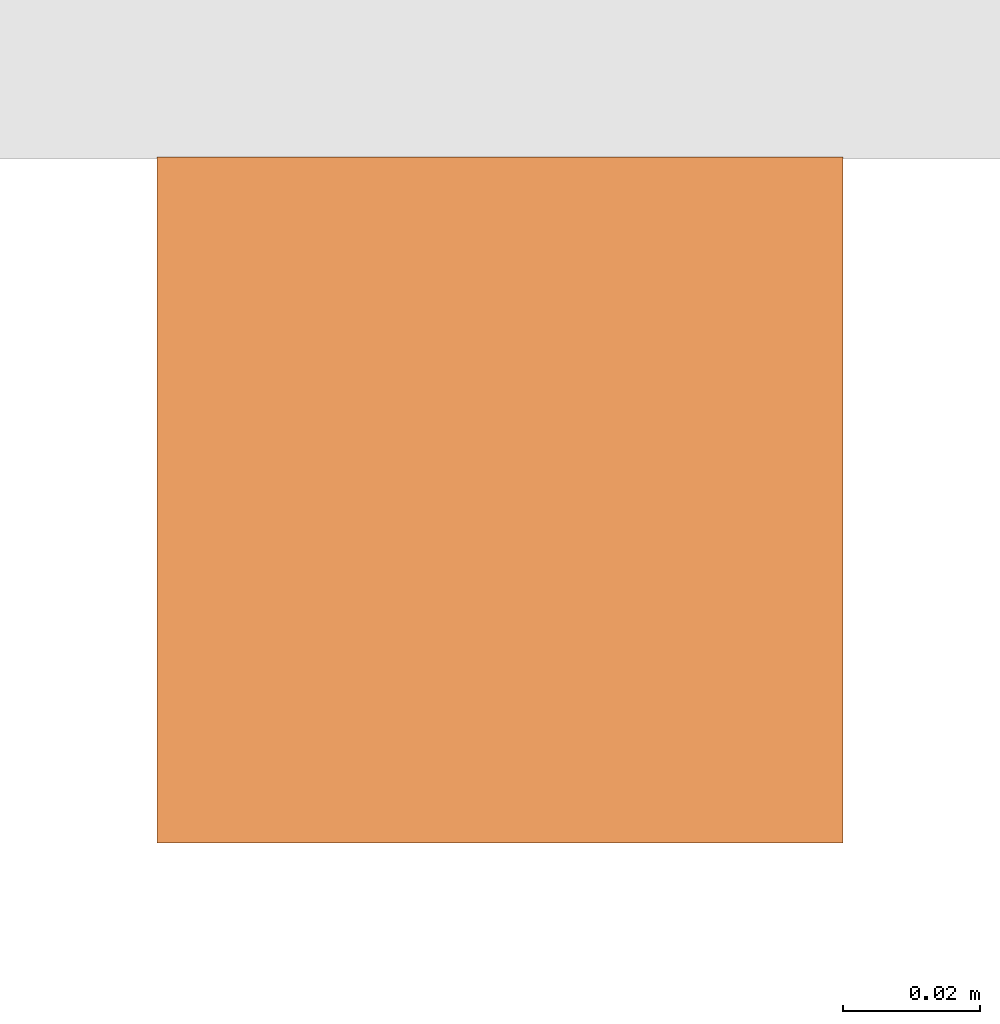
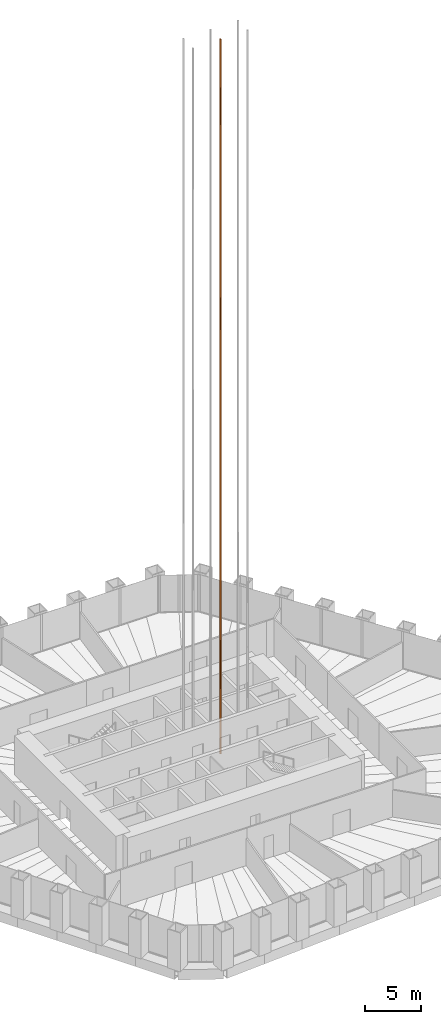
# One storey, part 16 of 20: 1 proxy.
"""IFC4 building model written with IfcOpenShell, lengths in metres."""

from ifc_helpers import new_model, si_unit, direction, frame, origin, origin_2d, place, context, subcontext, project, spatial, rectangle, extrude, material, type_object, element, save


model = new_model("IFC4")

# Units and contexts
model_context = context("Model", 3, precision=1e-05, world=origin(), true_north=direction((0.0, 1.0)))
body_context = subcontext(model_context, "Body", "Model", "MODEL_VIEW")
ifc_project = project(units=[si_unit("LENGTHUNIT", "METRE"), si_unit("AREAUNIT", "SQUARE_METRE"), si_unit("VOLUMEUNIT", "CUBIC_METRE"), si_unit("PLANEANGLEUNIT", "RADIAN"), si_unit("MASSUNIT", "GRAM", prefix="KILO")], contexts=[model_context])

# Site, building, storey
site_placement = place(None, origin())
site = spatial("IfcSite", under=ifc_project, at=site_placement, CompositionType="ELEMENT")
building_placement = place(site_placement, origin())
building = spatial("IfcBuilding", under=site, at=building_placement, Name="Qingtian Harvest Tower", CompositionType="ELEMENT")
storey_placement = place(building_placement, frame((0.0, 0.0, 103.0)))
storey = spatial("IfcBuildingStorey", under=building, at=storey_placement, Name="L20", CompositionType="ELEMENT", Elevation=103.0)

# Proxy
ifc_material = material(Name="Steel SN490B", Category="steel")
building_element_proxy_type = type_object("IfcBuildingElementProxyType", Name="Lift guide rail LR1", PredefinedType="NOTDEFINED", material=ifc_material)
proxy_placement = place(storey_placement, frame((4.699951171875, 2.675048828125, 0.0), z_axis=(0.0, 0.0, 1.0), x_axis=(1.0, 0.0, 0.0)))
element("IfcBuildingElementProxy", 1, at=proxy_placement, inside=storey, type_object=building_element_proxy_type, Name="Lift PLB2 guide rail 1", PredefinedType="NOTDEFINED", context=body_context, shape_type="SweptSolid", body=[
    extrude(rectangle(XDim=0.10009765625, YDim=0.10009765625, at=origin_2d()), origin(), (0.0, 0.0, 1.0), 77.39990234375),
])

save(model, "model.ifc")
